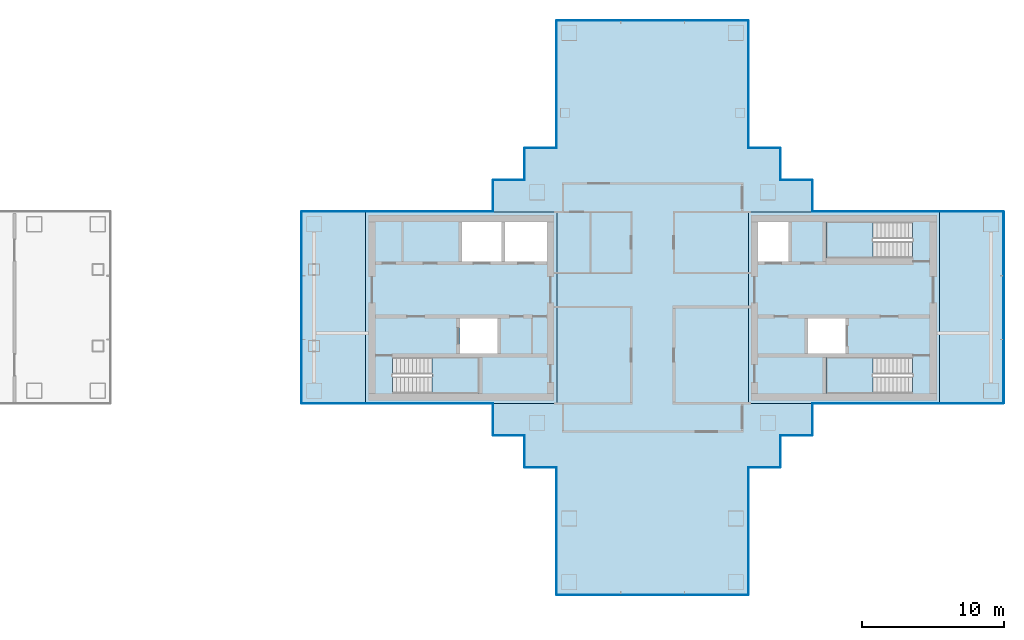
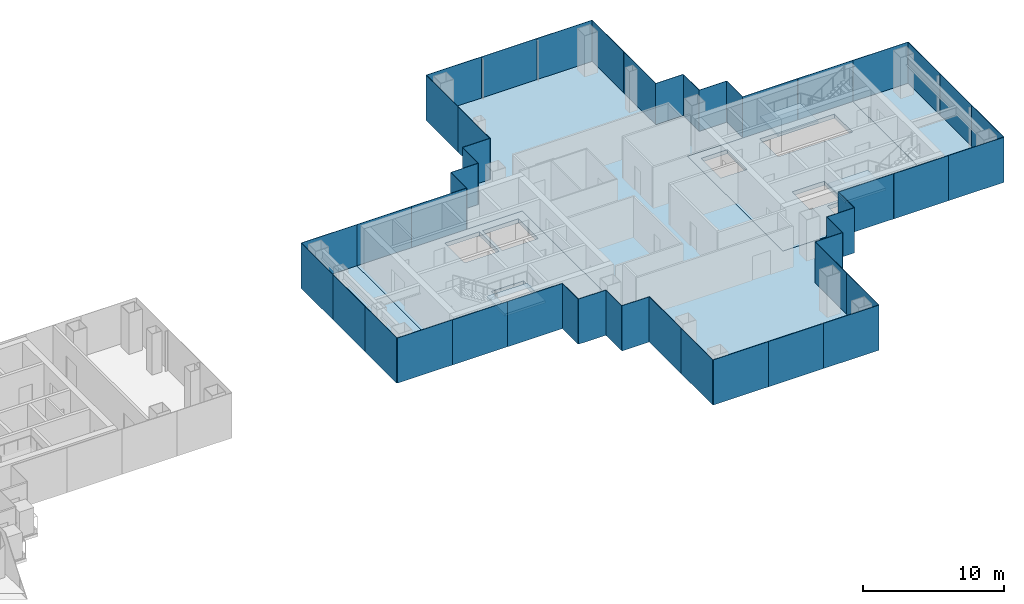
# One storey, part 8 of 16: 48 plates, 8 slabs, 23 elements without a shape of their own.
"""IFC4 building model written with IfcOpenShell, lengths in metres."""

from ifc_helpers import new_model, si_unit, direction, frame, origin, origin_2d, place, context, subcontext, project, spatial, polyline, rectangle, outline, extrude, material, layer, layer_set, type_object, element, aggregate, save


model = new_model("IFC4")

# Units and contexts
model_context = context("Model", 3, precision=1e-05, world=origin(), true_north=direction((0.0, 1.0)))
body_context = subcontext(model_context, "Body", "Model", "MODEL_VIEW")
ifc_project = project(units=[si_unit("LENGTHUNIT", "METRE"), si_unit("AREAUNIT", "SQUARE_METRE"), si_unit("VOLUMEUNIT", "CUBIC_METRE"), si_unit("PLANEANGLEUNIT", "RADIAN"), si_unit("MASSUNIT", "GRAM", prefix="KILO")], contexts=[model_context])

# Site, building, storey
site_placement = place(None, origin())
site = spatial("IfcSite", under=ifc_project, at=site_placement, CompositionType="ELEMENT")
building_placement = place(site_placement, origin())
building = spatial("IfcBuilding", under=site, at=building_placement, Name="Shamsa Quay Exchange Towers", CompositionType="ELEMENT")
storey_placement = place(building_placement, frame((0.0, 0.0, 142.800048828125)))
storey = spatial("IfcBuildingStorey", under=building, at=storey_placement, Name="L33", CompositionType="ELEMENT", Elevation=142.800048828125)

# Slabs
ifc_material_1 = material(Name="Concrete C50/60", Category="concrete")
ifc_layer_1 = layer(ifc_material_1, 0.35009765625)
ifc_layer_set_1 = layer_set([ifc_layer_1], Name="CORE FLOOR 350 C50/60")
slab_type_1 = type_object("IfcSlabType", Name="CORE FLOOR 350 C50/60", PredefinedType="FLOOR", material=ifc_layer_set_1)
slab_1_placement = place(storey_placement, frame((0.0, 0.0, -0.35009765625)))
element("IfcSlab", 1, at=slab_1_placement, inside=storey, type_object=slab_type_1, Name="Core floor T2A", PredefinedType="FLOOR", context=body_context, shape_type="SweptSolid", body=[
    extrude(outline(polyline([(13.5, -6.75), (27.0, -6.75), (27.0, 6.75), (13.5, 6.75), (13.5, -6.75)]), holes=[polyline([(15.400634765625, -6.050048828125), (15.400634765625, -3.5), (21.5, -3.5), (21.5, -6.050048828125), (15.400634765625, -6.050048828125)]), polyline([(20.300048828125, 3.25), (20.300048828125, 6.050048828125), (23.10009765625, 6.050048828125), (23.10009765625, 3.25), (20.300048828125, 3.25)]), polyline([(23.35009765625, 3.25), (23.35009765625, 6.050048828125), (26.300048828125, 6.050048828125), (26.300048828125, 3.25), (23.35009765625, 3.25)]), polyline([(20.14990234375, -3.25), (20.14990234375, -0.75), (22.800048828125, -0.75), (22.800048828125, -3.25), (20.14990234375, -3.25)])]), origin(), (0.0, 0.0, 1.0), 0.35009765625),
])
slab_2_placement = place(storey_placement, frame((0.0, 0.0, -0.35009765625)))
element("IfcSlab", 2, at=slab_2_placement, inside=storey, type_object=slab_type_1, Name="Core floor T2B", PredefinedType="FLOOR", context=body_context, shape_type="SweptSolid", body=[
    extrude(outline(polyline([(54.0, -6.75), (54.0, 6.75), (40.5, 6.75), (40.5, -6.75), (54.0, -6.75)]), holes=[polyline([(52.099365234375, -3.5), (52.099365234375, -6.050048828125), (46.0, -6.050048828125), (46.0, -3.5), (52.099365234375, -3.5)]), polyline([(52.099365234375, 6.050048828125), (52.099365234375, 3.5), (46.0, 3.5), (46.0, 6.050048828125), (52.099365234375, 6.050048828125)]), polyline([(43.35009765625, 3.25), (41.199951171875, 3.25), (41.199951171875, 6.050048828125), (43.35009765625, 6.050048828125), (43.35009765625, 3.25)]), polyline([(47.35009765625, -3.25), (44.699951171875, -3.25), (44.699951171875, -0.75), (47.35009765625, -0.75), (47.35009765625, -3.25)])]), origin(), (0.0, 0.0, 1.0), 0.35009765625),
])

# Stair, slab
ifc_material_2 = material(Name="Concrete C40/50", Category="concrete")
stair_type = type_object("IfcStairType", Name="EXIT STAIR 22 RISERS 177 MM", PredefinedType="HALF_TURN_STAIR", material=ifc_material_2)
stair_1_placement = place(storey_placement, origin())
stair_1 = element("IfcStair", 3, at=stair_1_placement, inside=storey, type_object=stair_type, Name="L33 Exit stair ST4", PredefinedType="HALF_TURN_STAIR")
ifc_layer_2 = layer(ifc_material_2, 0.199951171875)
ifc_layer_set_2 = layer_set([ifc_layer_2], Name="CORE STAIR LANDING")
slab_type_2 = type_object("IfcSlabType", Name="CORE STAIR LANDING", PredefinedType="LANDING", material=ifc_layer_set_2)
slab_3_placement = place(storey_placement, frame((0.0, 0.0, 1.75)))
slab_3 = element("IfcSlab", 4, at=slab_3_placement, type_object=slab_type_2, Name="ST4 landing 1", PredefinedType="LANDING", context=body_context, shape_type="SweptSolid", body=[
    extrude(outline(polyline([(18.199951171875, -6.050048828125), (21.5, -6.050048828125), (21.5, -3.5), (18.199951171875, -3.5), (18.199951171875, -6.050048828125)])), origin(), (0.0, 0.0, 1.0), 0.199951171875),
])
aggregate(stair_1, [slab_3])

stair_2_placement = place(storey_placement, origin())
stair_2 = element("IfcStair", 5, at=stair_2_placement, inside=storey, type_object=stair_type, Name="L33 Exit stair ST5", PredefinedType="HALF_TURN_STAIR")
slab_4_placement = place(storey_placement, frame((0.0, 0.0, 1.75)))
slab_4 = element("IfcSlab", 6, at=slab_4_placement, type_object=slab_type_2, Name="ST5 landing 1", PredefinedType="LANDING", context=body_context, shape_type="SweptSolid", body=[
    extrude(outline(polyline([(49.300048828125, -3.5), (46.0, -3.5), (46.0, -6.050048828125), (49.300048828125, -6.050048828125), (49.300048828125, -3.5)])), origin(), (0.0, 0.0, 1.0), 0.199951171875),
])
aggregate(stair_2, [slab_4])

stair_3_placement = place(storey_placement, origin())
stair_3 = element("IfcStair", 7, at=stair_3_placement, inside=storey, type_object=stair_type, Name="L33 Exit stair ST6", PredefinedType="HALF_TURN_STAIR")
slab_5_placement = place(storey_placement, frame((0.0, 0.0, 1.75)))
slab_5 = element("IfcSlab", 8, at=slab_5_placement, type_object=slab_type_2, Name="ST6 landing 1", PredefinedType="LANDING", context=body_context, shape_type="SweptSolid", body=[
    extrude(outline(polyline([(49.300048828125, 6.050048828125), (46.0, 6.050048828125), (46.0, 3.5), (49.300048828125, 3.5), (49.300048828125, 6.050048828125)])), origin(), (0.0, 0.0, 1.0), 0.199951171875),
])
aggregate(stair_3, [slab_5])

# Curtain wall, plate
ifc_material_3 = material(Name="Aluminium EN AW-6063 T6, black anodised", Category="aluminium")
ifc_layer_3 = layer(ifc_material_3, 0.280029296875)
ifc_layer_set_3 = layer_set([ifc_layer_3], Name="CW-1 UNITISED VISION GLASS")
curtain_wall_type_1 = type_object("IfcCurtainWallType", Name="CW-1 UNITISED VISION GLASS", PredefinedType="NOTDEFINED", material=ifc_layer_set_3)
curtain_wall_1_placement = place(storey_placement, origin())
curtain_wall_1 = element("IfcCurtainWall", 9, at=curtain_wall_1_placement, inside=storey, type_object=curtain_wall_type_1, Name="CW1 T2-FLK-V-W L33", PredefinedType="NOTDEFINED")
ifc_material_4 = material(Name="Glass, laminated, dark tinted", Category="glass")
ifc_layer_4 = layer(ifc_material_4, 0.0400390625)
ifc_layer_set_4 = layer_set([ifc_layer_4], Name="CW-1 VISION GLASS 40")
plate_type_1 = type_object("IfcPlateType", Name="CW-1 VISION GLASS 40", PredefinedType="CURTAIN_PANEL", material=ifc_layer_set_4)
plate_1_placement = place(storey_placement, frame((56.25, -6.77001953125, -0.35009765625)))
plate_1 = element("IfcPlate", 10, at=plate_1_placement, type_object=plate_type_1, Name="CW1 glass panel", PredefinedType="CURTAIN_PANEL", context=body_context, shape_type="SweptSolid", body=[
    extrude(rectangle(XDim=4.5, YDim=0.0400390625, at=origin_2d()), origin(), (0.0, 0.0, 1.0), 3.89990234375),
])
aggregate(curtain_wall_1, [plate_1])

# Curtain wall, plates
curtain_wall_2_placement = place(storey_placement, origin())
curtain_wall_2 = element("IfcCurtainWall", 11, at=curtain_wall_2_placement, inside=storey, type_object=curtain_wall_type_1, Name="CW1 T2-END-V- L33", PredefinedType="NOTDEFINED")
plate_2_placement = place(storey_placement, frame((58.52001953125, -4.50244140625, -0.35009765625), z_axis=(0.0, 0.0, 1.0), x_axis=(0.0, 1.0, 0.0)))
plate_2 = element("IfcPlate", 12, at=plate_2_placement, type_object=plate_type_1, Name="CW1 glass panel", PredefinedType="CURTAIN_PANEL", context=body_context, shape_type="SweptSolid", body=[
    extrude(rectangle(XDim=4.4951171875, YDim=0.0400390625, at=origin_2d()), origin(), (0.0, 0.0, 1.0), 3.89990234375),
])
plate_3_placement = place(storey_placement, frame((58.52001953125, 0.0, -0.35009765625), z_axis=(0.0, 0.0, 1.0), x_axis=(0.0, 1.0, 0.0)))
plate_3 = element("IfcPlate", 13, at=plate_3_placement, type_object=plate_type_1, Name="CW1 glass panel", PredefinedType="CURTAIN_PANEL", context=body_context, shape_type="SweptSolid", body=[
    extrude(rectangle(XDim=4.489990234375, YDim=0.0400390625, at=origin_2d()), origin(), (0.0, 0.0, 1.0), 3.89990234375),
])
plate_4_placement = place(storey_placement, frame((58.52001953125, 4.50244140625, -0.35009765625), z_axis=(0.0, 0.0, 1.0), x_axis=(0.0, 1.0, 0.0)))
plate_4 = element("IfcPlate", 14, at=plate_4_placement, type_object=plate_type_1, Name="CW1 glass panel", PredefinedType="CURTAIN_PANEL", context=body_context, shape_type="SweptSolid", body=[
    extrude(rectangle(XDim=4.4951171875, YDim=0.0400390625, at=origin_2d()), origin(), (0.0, 0.0, 1.0), 3.89990234375),
])
aggregate(curtain_wall_2, [plate_2, plate_3, plate_4])

# Curtain wall, plate
curtain_wall_3_placement = place(storey_placement, origin())
curtain_wall_3 = element("IfcCurtainWall", 15, at=curtain_wall_3_placement, inside=storey, type_object=curtain_wall_type_1, Name="CW1 T2-FLK-V-E L33", PredefinedType="NOTDEFINED")
plate_5_placement = place(storey_placement, frame((56.25, 6.77001953125, -0.35009765625), z_axis=(0.0, 0.0, 1.0), x_axis=(-1.0, 0.0, 0.0)))
plate_5 = element("IfcPlate", 16, at=plate_5_placement, type_object=plate_type_1, Name="CW1 glass panel", PredefinedType="CURTAIN_PANEL", context=body_context, shape_type="SweptSolid", body=[
    extrude(rectangle(XDim=4.5, YDim=0.0400390625, at=origin_2d()), origin(), (0.0, 0.0, 1.0), 3.89990234375),
])
aggregate(curtain_wall_3, [plate_5])

# Curtain wall, plates
curtain_wall_4_placement = place(storey_placement, origin())
curtain_wall_4 = element("IfcCurtainWall", 17, at=curtain_wall_4_placement, inside=storey, type_object=curtain_wall_type_1, Name="CW1 T2-FLK-U+S L33", PredefinedType="NOTDEFINED")
plate_6_placement = place(storey_placement, frame((40.52001953125, 13.52587890625, -0.35009765625), z_axis=(0.0, 0.0, 1.0), x_axis=(0.0, 1.0, 0.0)))
plate_6 = element("IfcPlate", 18, at=plate_6_placement, type_object=plate_type_1, Name="CW1 glass panel", PredefinedType="CURTAIN_PANEL", context=body_context, shape_type="SweptSolid", body=[
    extrude(rectangle(XDim=4.47607421875, YDim=0.0400390625, at=origin_2d()), origin(), (0.0, 0.0, 1.0), 3.89990234375),
])
plate_7_placement = place(storey_placement, frame((40.52001953125, 18.011962890625, -0.35009765625), z_axis=(0.0, 0.0, 1.0), x_axis=(0.0, 1.0, 0.0)))
plate_7 = element("IfcPlate", 19, at=plate_7_placement, type_object=plate_type_1, Name="CW1 glass panel", PredefinedType="CURTAIN_PANEL", context=body_context, shape_type="SweptSolid", body=[
    extrude(rectangle(XDim=4.47607421875, YDim=0.0400390625, at=origin_2d()), origin(), (0.0, 0.0, 1.0), 3.89990234375),
])
aggregate(curtain_wall_4, [plate_6, plate_7])

curtain_wall_5_placement = place(storey_placement, origin())
curtain_wall_5 = element("IfcCurtainWall", 20, at=curtain_wall_5_placement, inside=storey, type_object=curtain_wall_type_1, Name="CW1 T2-END-U+ L33", PredefinedType="NOTDEFINED")
plate_8_placement = place(storey_placement, frame((38.25244140625, 20.27001953125, -0.35009765625), z_axis=(0.0, 0.0, 1.0), x_axis=(-1.0, 0.0, 0.0)))
plate_8 = element("IfcPlate", 21, at=plate_8_placement, type_object=plate_type_1, Name="CW1 glass panel", PredefinedType="CURTAIN_PANEL", context=body_context, shape_type="SweptSolid", body=[
    extrude(rectangle(XDim=4.4951171875, YDim=0.0400390625, at=origin_2d()), origin(), (0.0, 0.0, 1.0), 3.89990234375),
])
plate_9_placement = place(storey_placement, frame((33.75, 20.27001953125, -0.35009765625), z_axis=(0.0, 0.0, 1.0), x_axis=(-1.0, 0.0, 0.0)))
plate_9 = element("IfcPlate", 22, at=plate_9_placement, type_object=plate_type_1, Name="CW1 glass panel", PredefinedType="CURTAIN_PANEL", context=body_context, shape_type="SweptSolid", body=[
    extrude(rectangle(XDim=4.489990234375, YDim=0.0400390625, at=origin_2d()), origin(), (0.0, 0.0, 1.0), 3.89990234375),
])
plate_10_placement = place(storey_placement, frame((29.24755859375, 20.27001953125, -0.35009765625), z_axis=(0.0, 0.0, 1.0), x_axis=(-1.0, 0.0, 0.0)))
plate_10 = element("IfcPlate", 23, at=plate_10_placement, type_object=plate_type_1, Name="CW1 glass panel", PredefinedType="CURTAIN_PANEL", context=body_context, shape_type="SweptSolid", body=[
    extrude(rectangle(XDim=4.4951171875, YDim=0.0400390625, at=origin_2d()), origin(), (0.0, 0.0, 1.0), 3.89990234375),
])
aggregate(curtain_wall_5, [plate_8, plate_9, plate_10])

curtain_wall_6_placement = place(storey_placement, origin())
curtain_wall_6 = element("IfcCurtainWall", 24, at=curtain_wall_6_placement, inside=storey, type_object=curtain_wall_type_1, Name="CW1 T2-FLK-U+N L33", PredefinedType="NOTDEFINED")
plate_11_placement = place(storey_placement, frame((26.97998046875, 18.00244140625, -0.35009765625), z_axis=(0.0, 0.0, 1.0), x_axis=(0.0, -1.0, 0.0)))
plate_11 = element("IfcPlate", 25, at=plate_11_placement, type_object=plate_type_1, Name="CW1 glass panel", PredefinedType="CURTAIN_PANEL", context=body_context, shape_type="SweptSolid", body=[
    extrude(rectangle(XDim=4.4951171875, YDim=0.0400390625, at=origin_2d()), origin(), (0.0, 0.0, 1.0), 3.89990234375),
])
plate_12_placement = place(storey_placement, frame((26.97998046875, 13.49755859375, -0.35009765625), z_axis=(0.0, 0.0, 1.0), x_axis=(0.0, -1.0, 0.0)))
plate_12 = element("IfcPlate", 26, at=plate_12_placement, type_object=plate_type_1, Name="CW1 glass panel", PredefinedType="CURTAIN_PANEL", context=body_context, shape_type="SweptSolid", body=[
    extrude(rectangle(XDim=4.4951171875, YDim=0.0400390625, at=origin_2d()), origin(), (0.0, 0.0, 1.0), 3.89990234375),
])
aggregate(curtain_wall_6, [plate_11, plate_12])

# Curtain wall, plate
curtain_wall_7_placement = place(storey_placement, origin())
curtain_wall_7 = element("IfcCurtainWall", 27, at=curtain_wall_7_placement, inside=storey, type_object=curtain_wall_type_1, Name="CW1 T2-FLK-V+E L33", PredefinedType="NOTDEFINED")
plate_13_placement = place(storey_placement, frame((11.25, 6.77001953125, -0.35009765625), z_axis=(0.0, 0.0, 1.0), x_axis=(-1.0, 0.0, 0.0)))
plate_13 = element("IfcPlate", 28, at=plate_13_placement, type_object=plate_type_1, Name="CW1 glass panel", PredefinedType="CURTAIN_PANEL", context=body_context, shape_type="SweptSolid", body=[
    extrude(rectangle(XDim=4.5, YDim=0.0400390625, at=origin_2d()), origin(), (0.0, 0.0, 1.0), 3.89990234375),
])
aggregate(curtain_wall_7, [plate_13])

# Curtain wall, plates
curtain_wall_8_placement = place(storey_placement, origin())
curtain_wall_8 = element("IfcCurtainWall", 29, at=curtain_wall_8_placement, inside=storey, type_object=curtain_wall_type_1, Name="CW1 T2-END-V+ L33", PredefinedType="NOTDEFINED")
plate_14_placement = place(storey_placement, frame((8.97998046875, 4.50244140625, -0.35009765625), z_axis=(0.0, 0.0, 1.0), x_axis=(0.0, -1.0, 0.0)))
plate_14 = element("IfcPlate", 30, at=plate_14_placement, type_object=plate_type_1, Name="CW1 glass panel", PredefinedType="CURTAIN_PANEL", context=body_context, shape_type="SweptSolid", body=[
    extrude(rectangle(XDim=4.4951171875, YDim=0.0400390625, at=origin_2d()), origin(), (0.0, 0.0, 1.0), 3.89990234375),
])
plate_15_placement = place(storey_placement, frame((8.97998046875, 0.0, -0.35009765625), z_axis=(0.0, 0.0, 1.0), x_axis=(0.0, -1.0, 0.0)))
plate_15 = element("IfcPlate", 31, at=plate_15_placement, type_object=plate_type_1, Name="CW1 glass panel", PredefinedType="CURTAIN_PANEL", context=body_context, shape_type="SweptSolid", body=[
    extrude(rectangle(XDim=4.489990234375, YDim=0.0400390625, at=origin_2d()), origin(), (0.0, 0.0, 1.0), 3.89990234375),
])
plate_16_placement = place(storey_placement, frame((8.97998046875, -4.50244140625, -0.35009765625), z_axis=(0.0, 0.0, 1.0), x_axis=(0.0, -1.0, 0.0)))
plate_16 = element("IfcPlate", 32, at=plate_16_placement, type_object=plate_type_1, Name="CW1 glass panel", PredefinedType="CURTAIN_PANEL", context=body_context, shape_type="SweptSolid", body=[
    extrude(rectangle(XDim=4.4951171875, YDim=0.0400390625, at=origin_2d()), origin(), (0.0, 0.0, 1.0), 3.89990234375),
])
aggregate(curtain_wall_8, [plate_14, plate_15, plate_16])

# Curtain wall, plate
curtain_wall_9_placement = place(storey_placement, origin())
curtain_wall_9 = element("IfcCurtainWall", 33, at=curtain_wall_9_placement, inside=storey, type_object=curtain_wall_type_1, Name="CW1 T2-FLK-V+W L33", PredefinedType="NOTDEFINED")
plate_17_placement = place(storey_placement, frame((11.25, -6.77001953125, -0.35009765625)))
plate_17 = element("IfcPlate", 34, at=plate_17_placement, type_object=plate_type_1, Name="CW1 glass panel", PredefinedType="CURTAIN_PANEL", context=body_context, shape_type="SweptSolid", body=[
    extrude(rectangle(XDim=4.5, YDim=0.0400390625, at=origin_2d()), origin(), (0.0, 0.0, 1.0), 3.89990234375),
])
aggregate(curtain_wall_9, [plate_17])

# Curtain wall, plates
curtain_wall_10_placement = place(storey_placement, origin())
curtain_wall_10 = element("IfcCurtainWall", 35, at=curtain_wall_10_placement, inside=storey, type_object=curtain_wall_type_1, Name="CW1 T2-FLK-U-N L33", PredefinedType="NOTDEFINED")
plate_18_placement = place(storey_placement, frame((26.97998046875, -13.52587890625, -0.35009765625), z_axis=(0.0, 0.0, 1.0), x_axis=(0.0, -1.0, 0.0)))
plate_18 = element("IfcPlate", 36, at=plate_18_placement, type_object=plate_type_1, Name="CW1 glass panel", PredefinedType="CURTAIN_PANEL", context=body_context, shape_type="SweptSolid", body=[
    extrude(rectangle(XDim=4.47607421875, YDim=0.0400390625, at=origin_2d()), origin(), (0.0, 0.0, 1.0), 3.89990234375),
])
plate_19_placement = place(storey_placement, frame((26.97998046875, -18.011962890625, -0.35009765625), z_axis=(0.0, 0.0, 1.0), x_axis=(0.0, -1.0, 0.0)))
plate_19 = element("IfcPlate", 37, at=plate_19_placement, type_object=plate_type_1, Name="CW1 glass panel", PredefinedType="CURTAIN_PANEL", context=body_context, shape_type="SweptSolid", body=[
    extrude(rectangle(XDim=4.47607421875, YDim=0.0400390625, at=origin_2d()), origin(), (0.0, 0.0, 1.0), 3.89990234375),
])
aggregate(curtain_wall_10, [plate_18, plate_19])

curtain_wall_11_placement = place(storey_placement, origin())
curtain_wall_11 = element("IfcCurtainWall", 38, at=curtain_wall_11_placement, inside=storey, type_object=curtain_wall_type_1, Name="CW1 T2-END-U- L33", PredefinedType="NOTDEFINED")
plate_20_placement = place(storey_placement, frame((29.24755859375, -20.27001953125, -0.35009765625)))
plate_20 = element("IfcPlate", 39, at=plate_20_placement, type_object=plate_type_1, Name="CW1 glass panel", PredefinedType="CURTAIN_PANEL", context=body_context, shape_type="SweptSolid", body=[
    extrude(rectangle(XDim=4.4951171875, YDim=0.0400390625, at=origin_2d()), origin(), (0.0, 0.0, 1.0), 3.89990234375),
])
plate_21_placement = place(storey_placement, frame((33.75, -20.27001953125, -0.35009765625)))
plate_21 = element("IfcPlate", 40, at=plate_21_placement, type_object=plate_type_1, Name="CW1 glass panel", PredefinedType="CURTAIN_PANEL", context=body_context, shape_type="SweptSolid", body=[
    extrude(rectangle(XDim=4.489990234375, YDim=0.0400390625, at=origin_2d()), origin(), (0.0, 0.0, 1.0), 3.89990234375),
])
plate_22_placement = place(storey_placement, frame((38.25244140625, -20.27001953125, -0.35009765625)))
plate_22 = element("IfcPlate", 41, at=plate_22_placement, type_object=plate_type_1, Name="CW1 glass panel", PredefinedType="CURTAIN_PANEL", context=body_context, shape_type="SweptSolid", body=[
    extrude(rectangle(XDim=4.4951171875, YDim=0.0400390625, at=origin_2d()), origin(), (0.0, 0.0, 1.0), 3.89990234375),
])
aggregate(curtain_wall_11, [plate_20, plate_21, plate_22])

curtain_wall_12_placement = place(storey_placement, origin())
curtain_wall_12 = element("IfcCurtainWall", 42, at=curtain_wall_12_placement, inside=storey, type_object=curtain_wall_type_1, Name="CW1 T2-FLK-U-S L33", PredefinedType="NOTDEFINED")
plate_23_placement = place(storey_placement, frame((40.52001953125, -18.00244140625, -0.35009765625), z_axis=(0.0, 0.0, 1.0), x_axis=(0.0, 1.0, 0.0)))
plate_23 = element("IfcPlate", 43, at=plate_23_placement, type_object=plate_type_1, Name="CW1 glass panel", PredefinedType="CURTAIN_PANEL", context=body_context, shape_type="SweptSolid", body=[
    extrude(rectangle(XDim=4.4951171875, YDim=0.0400390625, at=origin_2d()), origin(), (0.0, 0.0, 1.0), 3.89990234375),
])
plate_24_placement = place(storey_placement, frame((40.52001953125, -13.49755859375, -0.35009765625), z_axis=(0.0, 0.0, 1.0), x_axis=(0.0, 1.0, 0.0)))
plate_24 = element("IfcPlate", 44, at=plate_24_placement, type_object=plate_type_1, Name="CW1 glass panel", PredefinedType="CURTAIN_PANEL", context=body_context, shape_type="SweptSolid", body=[
    extrude(rectangle(XDim=4.4951171875, YDim=0.0400390625, at=origin_2d()), origin(), (0.0, 0.0, 1.0), 3.89990234375),
])
aggregate(curtain_wall_12, [plate_23, plate_24])

ifc_layer_5 = layer(ifc_material_3, 0.303955078125)
ifc_layer_set_5 = layer_set([ifc_layer_5], Name="CW-2 UNITISED OPAQUE SPANDREL GLASS")
curtain_wall_type_2 = type_object("IfcCurtainWallType", Name="CW-2 UNITISED OPAQUE SPANDREL GLASS", PredefinedType="NOTDEFINED", material=ifc_layer_set_5)
curtain_wall_13_placement = place(storey_placement, origin())
curtain_wall_13 = element("IfcCurtainWall", 45, at=curtain_wall_13_placement, inside=storey, type_object=curtain_wall_type_2, Name="CW2 T2-FLK-V-W L33", PredefinedType="NOTDEFINED")
ifc_material_5 = material(Name="Glass, laminated, black enamelled opaque", Category="glass")
ifc_layer_6 = layer(ifc_material_5, 0.0439453125)
ifc_layer_set_6 = layer_set([ifc_layer_6], Name="CW-2 SPANDREL GLASS 44")
plate_type_2 = type_object("IfcPlateType", Name="CW-2 SPANDREL GLASS 44", PredefinedType="CURTAIN_PANEL", material=ifc_layer_set_6)
plate_25_placement = place(storey_placement, frame((47.27587890625, -6.77197265625, -0.35009765625)))
plate_25 = element("IfcPlate", 46, at=plate_25_placement, type_object=plate_type_2, Name="CW2 glass panel", PredefinedType="CURTAIN_PANEL", context=body_context, shape_type="SweptSolid", body=[
    extrude(rectangle(XDim=4.47607421875, YDim=0.0439453125, at=origin_2d()), origin(), (0.0, 0.0, 1.0), 3.89990234375),
])
plate_26_placement = place(storey_placement, frame((51.761962890625, -6.77197265625, -0.35009765625)))
plate_26 = element("IfcPlate", 47, at=plate_26_placement, type_object=plate_type_2, Name="CW2 glass panel", PredefinedType="CURTAIN_PANEL", context=body_context, shape_type="SweptSolid", body=[
    extrude(rectangle(XDim=4.47607421875, YDim=0.0439453125, at=origin_2d()), origin(), (0.0, 0.0, 1.0), 3.89990234375),
])
aggregate(curtain_wall_13, [plate_25, plate_26])

curtain_wall_14_placement = place(storey_placement, origin())
curtain_wall_14 = element("IfcCurtainWall", 48, at=curtain_wall_14_placement, inside=storey, type_object=curtain_wall_type_2, Name="CW2 T2-FLK-V-E L33", PredefinedType="NOTDEFINED")
plate_27_placement = place(storey_placement, frame((51.75244140625, 6.77197265625, -0.35009765625), z_axis=(0.0, 0.0, 1.0), x_axis=(-1.0, 0.0, 0.0)))
plate_27 = element("IfcPlate", 49, at=plate_27_placement, type_object=plate_type_2, Name="CW2 glass panel", PredefinedType="CURTAIN_PANEL", context=body_context, shape_type="SweptSolid", body=[
    extrude(rectangle(XDim=4.4951171875, YDim=0.0439453125, at=origin_2d()), origin(), (0.0, 0.0, 1.0), 3.89990234375),
])
plate_28_placement = place(storey_placement, frame((47.24755859375, 6.77197265625, -0.35009765625), z_axis=(0.0, 0.0, 1.0), x_axis=(-1.0, 0.0, 0.0)))
plate_28 = element("IfcPlate", 50, at=plate_28_placement, type_object=plate_type_2, Name="CW2 glass panel", PredefinedType="CURTAIN_PANEL", context=body_context, shape_type="SweptSolid", body=[
    extrude(rectangle(XDim=4.4951171875, YDim=0.0439453125, at=origin_2d()), origin(), (0.0, 0.0, 1.0), 3.89990234375),
])
aggregate(curtain_wall_14, [plate_27, plate_28])

curtain_wall_15_placement = place(storey_placement, origin())
curtain_wall_15 = element("IfcCurtainWall", 51, at=curtain_wall_15_placement, inside=storey, type_object=curtain_wall_type_2, Name="CW2 T2-FLK-V+E L33", PredefinedType="NOTDEFINED")
plate_29_placement = place(storey_placement, frame((20.22412109375, 6.77197265625, -0.35009765625), z_axis=(0.0, 0.0, 1.0), x_axis=(-1.0, 0.0, 0.0)))
plate_29 = element("IfcPlate", 52, at=plate_29_placement, type_object=plate_type_2, Name="CW2 glass panel", PredefinedType="CURTAIN_PANEL", context=body_context, shape_type="SweptSolid", body=[
    extrude(rectangle(XDim=4.47607421875, YDim=0.0439453125, at=origin_2d()), origin(), (0.0, 0.0, 1.0), 3.89990234375),
])
plate_30_placement = place(storey_placement, frame((15.738037109375, 6.77197265625, -0.35009765625), z_axis=(0.0, 0.0, 1.0), x_axis=(-1.0, 0.0, 0.0)))
plate_30 = element("IfcPlate", 53, at=plate_30_placement, type_object=plate_type_2, Name="CW2 glass panel", PredefinedType="CURTAIN_PANEL", context=body_context, shape_type="SweptSolid", body=[
    extrude(rectangle(XDim=4.47607421875, YDim=0.0439453125, at=origin_2d()), origin(), (0.0, 0.0, 1.0), 3.89990234375),
])
aggregate(curtain_wall_15, [plate_29, plate_30])

curtain_wall_16_placement = place(storey_placement, origin())
curtain_wall_16 = element("IfcCurtainWall", 54, at=curtain_wall_16_placement, inside=storey, type_object=curtain_wall_type_2, Name="CW2 T2-FLK-V+W L33", PredefinedType="NOTDEFINED")
plate_31_placement = place(storey_placement, frame((15.74755859375, -6.77197265625, -0.35009765625)))
plate_31 = element("IfcPlate", 55, at=plate_31_placement, type_object=plate_type_2, Name="CW2 glass panel", PredefinedType="CURTAIN_PANEL", context=body_context, shape_type="SweptSolid", body=[
    extrude(rectangle(XDim=4.4951171875, YDim=0.0439453125, at=origin_2d()), origin(), (0.0, 0.0, 1.0), 3.89990234375),
])
plate_32_placement = place(storey_placement, frame((20.25244140625, -6.77197265625, -0.35009765625)))
plate_32 = element("IfcPlate", 56, at=plate_32_placement, type_object=plate_type_2, Name="CW2 glass panel", PredefinedType="CURTAIN_PANEL", context=body_context, shape_type="SweptSolid", body=[
    extrude(rectangle(XDim=4.4951171875, YDim=0.0439453125, at=origin_2d()), origin(), (0.0, 0.0, 1.0), 3.89990234375),
])
aggregate(curtain_wall_16, [plate_31, plate_32])

ifc_layer_7 = layer(ifc_material_3, 0.256103515625)
ifc_layer_set_7 = layer_set([ifc_layer_7], Name="CW-4 POCKET SERRATED GLAZING")
curtain_wall_type_3 = type_object("IfcCurtainWallType", Name="CW-4 POCKET SERRATED GLAZING", PredefinedType="NOTDEFINED", material=ifc_layer_set_7)
curtain_wall_17_placement = place(storey_placement, origin())
curtain_wall_17 = element("IfcCurtainWall", 57, at=curtain_wall_17_placement, inside=storey, type_object=curtain_wall_type_3, Name="CW4 PKWS L33", PredefinedType="NOTDEFINED")
ifc_layer_8 = layer(ifc_material_4, 0.035888671875)
ifc_layer_set_8 = layer_set([ifc_layer_8], Name="CW-4 POCKET GLASS 36")
plate_type_3 = type_object("IfcPlateType", Name="CW-4 POCKET GLASS 36", PredefinedType="CURTAIN_PANEL", material=ifc_layer_set_8)
plate_33_placement = place(storey_placement, frame((43.89404296875, -9.01806640625, -0.35009765625)))
plate_33 = element("IfcPlate", 58, at=plate_33_placement, type_object=plate_type_3, Name="CW4 glass panel", PredefinedType="CURTAIN_PANEL", context=body_context, shape_type="SweptSolid", body=[
    extrude(rectangle(XDim=2.2119140625, YDim=0.035888671875, at=origin_2d()), origin(), (0.0, 0.0, 1.0), 3.89990234375),
])
plate_34_placement = place(storey_placement, frame((45.01806640625, -7.875, -0.35009765625), z_axis=(0.0, 0.0, 1.0), x_axis=(0.0, 1.0, 0.0)))
plate_34 = element("IfcPlate", 59, at=plate_34_placement, type_object=plate_type_3, Name="CW4 glass panel", PredefinedType="CURTAIN_PANEL", context=body_context, shape_type="SweptSolid", body=[
    extrude(rectangle(XDim=2.25, YDim=0.035888671875, at=origin_2d()), origin(), (0.0, 0.0, 1.0), 3.89990234375),
])
plate_35_placement = place(storey_placement, frame((41.64599609375, -11.26806640625, -0.35009765625)))
plate_35 = element("IfcPlate", 60, at=plate_35_placement, type_object=plate_type_3, Name="CW4 glass panel", PredefinedType="CURTAIN_PANEL", context=body_context, shape_type="SweptSolid", body=[
    extrude(rectangle(XDim=2.2080078125, YDim=0.035888671875, at=origin_2d()), origin(), (0.0, 0.0, 1.0), 3.89990234375),
])
plate_36_placement = place(storey_placement, frame((42.76806640625, -10.125, -0.35009765625), z_axis=(0.0, 0.0, 1.0), x_axis=(0.0, 1.0, 0.0)))
plate_36 = element("IfcPlate", 61, at=plate_36_placement, type_object=plate_type_3, Name="CW4 glass panel", PredefinedType="CURTAIN_PANEL", context=body_context, shape_type="SweptSolid", body=[
    extrude(rectangle(XDim=2.25, YDim=0.035888671875, at=origin_2d()), origin(), (0.0, 0.0, 1.0), 3.89990234375),
])
aggregate(curtain_wall_17, [plate_33, plate_34, plate_35, plate_36])

curtain_wall_18_placement = place(storey_placement, origin())
curtain_wall_18 = element("IfcCurtainWall", 62, at=curtain_wall_18_placement, inside=storey, type_object=curtain_wall_type_3, Name="CW4 PKES L33", PredefinedType="NOTDEFINED")
plate_37_placement = place(storey_placement, frame((45.01806640625, 7.89794921875, -0.35009765625), z_axis=(0.0, 0.0, 1.0), x_axis=(0.0, 1.0, 0.0)))
plate_37 = element("IfcPlate", 63, at=plate_37_placement, type_object=plate_type_3, Name="CW4 glass panel", PredefinedType="CURTAIN_PANEL", context=body_context, shape_type="SweptSolid", body=[
    extrude(rectangle(XDim=2.2041015625, YDim=0.035888671875, at=origin_2d()), origin(), (0.0, 0.0, 1.0), 3.89990234375),
])
plate_38_placement = place(storey_placement, frame((43.875, 9.01806640625, -0.35009765625), z_axis=(0.0, 0.0, 1.0), x_axis=(-1.0, 0.0, 0.0)))
plate_38 = element("IfcPlate", 64, at=plate_38_placement, type_object=plate_type_3, Name="CW4 glass panel", PredefinedType="CURTAIN_PANEL", context=body_context, shape_type="SweptSolid", body=[
    extrude(rectangle(XDim=2.25, YDim=0.035888671875, at=origin_2d()), origin(), (0.0, 0.0, 1.0), 3.89990234375),
])
plate_39_placement = place(storey_placement, frame((42.76806640625, 10.14404296875, -0.35009765625), z_axis=(0.0, 0.0, 1.0), x_axis=(0.0, 1.0, 0.0)))
plate_39 = element("IfcPlate", 65, at=plate_39_placement, type_object=plate_type_3, Name="CW4 glass panel", PredefinedType="CURTAIN_PANEL", context=body_context, shape_type="SweptSolid", body=[
    extrude(rectangle(XDim=2.2119140625, YDim=0.035888671875, at=origin_2d()), origin(), (0.0, 0.0, 1.0), 3.89990234375),
])
plate_40_placement = place(storey_placement, frame((41.625, 11.26806640625, -0.35009765625), z_axis=(0.0, 0.0, 1.0), x_axis=(-1.0, 0.0, 0.0)))
plate_40 = element("IfcPlate", 66, at=plate_40_placement, type_object=plate_type_3, Name="CW4 glass panel", PredefinedType="CURTAIN_PANEL", context=body_context, shape_type="SweptSolid", body=[
    extrude(rectangle(XDim=2.25, YDim=0.035888671875, at=origin_2d()), origin(), (0.0, 0.0, 1.0), 3.89990234375),
])
aggregate(curtain_wall_18, [plate_37, plate_38, plate_39, plate_40])

curtain_wall_19_placement = place(storey_placement, origin())
curtain_wall_19 = element("IfcCurtainWall", 67, at=curtain_wall_19_placement, inside=storey, type_object=curtain_wall_type_3, Name="CW4 PKEN L33", PredefinedType="NOTDEFINED")
plate_41_placement = place(storey_placement, frame((25.85400390625, 11.26806640625, -0.35009765625), z_axis=(0.0, 0.0, 1.0), x_axis=(-1.0, 0.0, 0.0)))
plate_41 = element("IfcPlate", 68, at=plate_41_placement, type_object=plate_type_3, Name="CW4 glass panel", PredefinedType="CURTAIN_PANEL", context=body_context, shape_type="SweptSolid", body=[
    extrude(rectangle(XDim=2.2080078125, YDim=0.035888671875, at=origin_2d()), origin(), (0.0, 0.0, 1.0), 3.89990234375),
])
plate_42_placement = place(storey_placement, frame((24.73193359375, 10.125, -0.35009765625), z_axis=(0.0, 0.0, 1.0), x_axis=(0.0, -1.0, 0.0)))
plate_42 = element("IfcPlate", 69, at=plate_42_placement, type_object=plate_type_3, Name="CW4 glass panel", PredefinedType="CURTAIN_PANEL", context=body_context, shape_type="SweptSolid", body=[
    extrude(rectangle(XDim=2.25, YDim=0.035888671875, at=origin_2d()), origin(), (0.0, 0.0, 1.0), 3.89990234375),
])
plate_43_placement = place(storey_placement, frame((23.60595703125, 9.01806640625, -0.35009765625), z_axis=(0.0, 0.0, 1.0), x_axis=(-1.0, 0.0, 0.0)))
plate_43 = element("IfcPlate", 70, at=plate_43_placement, type_object=plate_type_3, Name="CW4 glass panel", PredefinedType="CURTAIN_PANEL", context=body_context, shape_type="SweptSolid", body=[
    extrude(rectangle(XDim=2.2119140625, YDim=0.035888671875, at=origin_2d()), origin(), (0.0, 0.0, 1.0), 3.89990234375),
])
plate_44_placement = place(storey_placement, frame((22.48193359375, 7.875, -0.35009765625), z_axis=(0.0, 0.0, 1.0), x_axis=(0.0, -1.0, 0.0)))
plate_44 = element("IfcPlate", 71, at=plate_44_placement, type_object=plate_type_3, Name="CW4 glass panel", PredefinedType="CURTAIN_PANEL", context=body_context, shape_type="SweptSolid", body=[
    extrude(rectangle(XDim=2.25, YDim=0.035888671875, at=origin_2d()), origin(), (0.0, 0.0, 1.0), 3.89990234375),
])
aggregate(curtain_wall_19, [plate_41, plate_42, plate_43, plate_44])

curtain_wall_20_placement = place(storey_placement, origin())
curtain_wall_20 = element("IfcCurtainWall", 72, at=curtain_wall_20_placement, inside=storey, type_object=curtain_wall_type_3, Name="CW4 PKWN L33", PredefinedType="NOTDEFINED")
plate_45_placement = place(storey_placement, frame((22.48193359375, -7.89794921875, -0.35009765625), z_axis=(0.0, 0.0, 1.0), x_axis=(0.0, -1.0, 0.0)))
plate_45 = element("IfcPlate", 73, at=plate_45_placement, type_object=plate_type_3, Name="CW4 glass panel", PredefinedType="CURTAIN_PANEL", context=body_context, shape_type="SweptSolid", body=[
    extrude(rectangle(XDim=2.2041015625, YDim=0.035888671875, at=origin_2d()), origin(), (0.0, 0.0, 1.0), 3.89990234375),
])
plate_46_placement = place(storey_placement, frame((23.625, -9.01806640625, -0.35009765625)))
plate_46 = element("IfcPlate", 74, at=plate_46_placement, type_object=plate_type_3, Name="CW4 glass panel", PredefinedType="CURTAIN_PANEL", context=body_context, shape_type="SweptSolid", body=[
    extrude(rectangle(XDim=2.25, YDim=0.035888671875, at=origin_2d()), origin(), (0.0, 0.0, 1.0), 3.89990234375),
])
plate_47_placement = place(storey_placement, frame((24.73193359375, -10.14404296875, -0.35009765625), z_axis=(0.0, 0.0, 1.0), x_axis=(0.0, -1.0, 0.0)))
plate_47 = element("IfcPlate", 75, at=plate_47_placement, type_object=plate_type_3, Name="CW4 glass panel", PredefinedType="CURTAIN_PANEL", context=body_context, shape_type="SweptSolid", body=[
    extrude(rectangle(XDim=2.2119140625, YDim=0.035888671875, at=origin_2d()), origin(), (0.0, 0.0, 1.0), 3.89990234375),
])
plate_48_placement = place(storey_placement, frame((25.875, -11.26806640625, -0.35009765625)))
plate_48 = element("IfcPlate", 76, at=plate_48_placement, type_object=plate_type_3, Name="CW4 glass panel", PredefinedType="CURTAIN_PANEL", context=body_context, shape_type="SweptSolid", body=[
    extrude(rectangle(XDim=2.25, YDim=0.035888671875, at=origin_2d()), origin(), (0.0, 0.0, 1.0), 3.89990234375),
])
aggregate(curtain_wall_20, [plate_45, plate_46, plate_47, plate_48])

# Slabs
ifc_layer_9 = layer(ifc_material_2, 0.35009765625)
ifc_layer_set_9 = layer_set([ifc_layer_9], Name="Flat slab 350")
slab_type_3 = type_object("IfcSlabType", Name="Flat slab 350", PredefinedType="FLOOR", material=ifc_layer_set_9)
slab_6_placement = place(storey_placement, frame((0.0, 0.0, -0.35009765625)))
element("IfcSlab", 77, at=slab_6_placement, inside=storey, type_object=slab_type_3, Name="Flat slab T2 L33 4", PredefinedType="FLOOR", context=body_context, shape_type="SweptSolid", body=[
    extrude(outline(polyline([(9.0, -6.75), (13.5, -6.75), (13.5, 6.75), (9.0, 6.75), (9.0, -6.75)])), origin(), (0.0, 0.0, 1.0), 0.35009765625),
])
slab_7_placement = place(storey_placement, frame((0.0, 0.0, -0.35009765625)))
element("IfcSlab", 78, at=slab_7_placement, inside=storey, type_object=slab_type_3, Name="Flat slab T2 L33 5", PredefinedType="FLOOR", context=body_context, shape_type="SweptSolid", body=[
    extrude(outline(polyline([(45.0, -9.0), (45.0, -6.75), (40.5, -6.75), (40.5, 6.75), (45.0, 6.75), (45.0, 9.0), (42.75, 9.0), (42.75, 11.25), (40.5, 11.25), (40.5, 20.25), (27.0, 20.25), (27.0, 11.25), (24.75, 11.25), (24.75, 9.0), (22.5, 9.0), (22.5, 6.75), (27.0, 6.75), (27.0, -6.75), (22.5, -6.75), (22.5, -9.0), (24.75, -9.0), (24.75, -11.25), (27.0, -11.25), (27.0, -20.25), (40.5, -20.25), (40.5, -11.25), (42.75, -11.25), (42.75, -9.0), (45.0, -9.0)])), origin(), (0.0, 0.0, 1.0), 0.35009765625),
])
slab_8_placement = place(storey_placement, frame((0.0, 0.0, -0.35009765625)))
element("IfcSlab", 79, at=slab_8_placement, inside=storey, type_object=slab_type_3, Name="Flat slab T2 L33 6", PredefinedType="FLOOR", context=body_context, shape_type="SweptSolid", body=[
    extrude(outline(polyline([(58.5, 6.75), (54.0, 6.75), (54.0, -6.75), (58.5, -6.75), (58.5, 6.75)])), origin(), (0.0, 0.0, 1.0), 0.35009765625),
])

save(model, "model.ifc")
